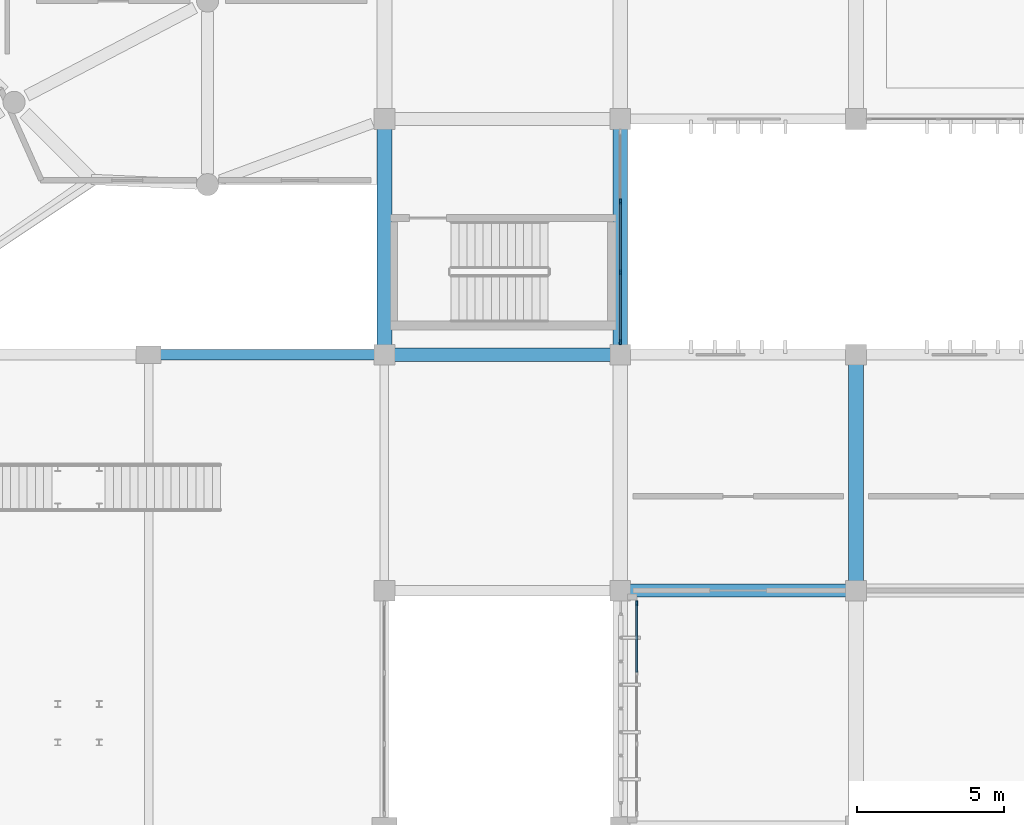
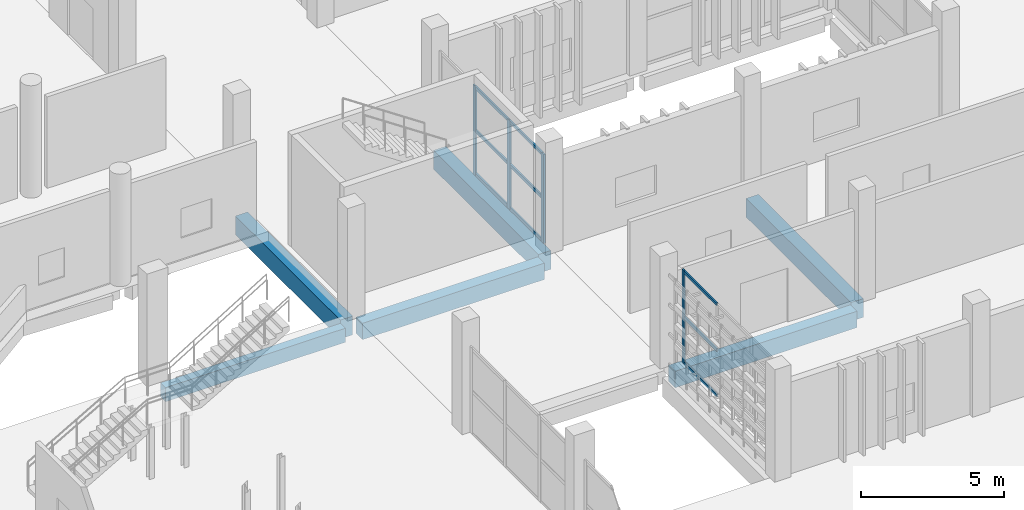
# One storey, part 28 of 117: 13 members, 6 beams, 2 elements without a shape of their own.
"""IFC4 building model written with IfcOpenShell, lengths in metres."""

from ifc_helpers import new_model, si_unit, direction, frame, origin, origin_2d, place, context, subcontext, project, spatial, rectangle, extrude, material, layer, layer_set, material_profile, profile_set, type_object, element, aggregate, save


model = new_model("IFC4")

# Units and contexts
model_context = context("Model", 3, precision=1e-05, world=origin(), true_north=direction((0.0, 1.0)))
body_context = subcontext(model_context, "Body", "Model", "MODEL_VIEW")
ifc_project = project(units=[si_unit("LENGTHUNIT", "METRE"), si_unit("AREAUNIT", "SQUARE_METRE"), si_unit("VOLUMEUNIT", "CUBIC_METRE"), si_unit("PLANEANGLEUNIT", "RADIAN"), si_unit("MASSUNIT", "GRAM", prefix="KILO")], contexts=[model_context])

# Site, building, storey
site_placement = place(None, origin())
site = spatial("IfcSite", under=ifc_project, at=site_placement, CompositionType="ELEMENT")
building_placement = place(site_placement, origin())
building = spatial("IfcBuilding", under=site, at=building_placement, Name="Jelvoka-Kovrelna Polytechnic", CompositionType="ELEMENT")
storey_placement = place(building_placement, origin())
storey = spatial("IfcBuildingStorey", under=building, at=storey_placement, Name="L01", CompositionType="ELEMENT", Elevation=0.0)

# Beams
ifc_material_1 = material(Name="Concrete C40/50", Category="concrete")
ifc_material_profile_1 = material_profile(ifc_material_1, rectangle(XDim=0.449951171875, YDim=0.699951171875, at=origin_2d()), Name="RC 450x700")
ifc_profile_set_1 = profile_set([ifc_material_profile_1], Name="Concrete C40/50")
beam_type_1 = type_object("IfcBeamType", Name="Beam_RC_450x700", PredefinedType="BEAM", material=ifc_profile_set_1)
for number, where, z_axis, x_axis, name in (
    (1, (56.330078125, 16.0, -0.7548828125), (1.0, 0.0, 0.0), (0.0, 1.0, 0.0), "L01 beam 0309"),
    (2, (48.330078125, 24.0, -0.7548828125), (1.0, 0.0, 0.0), (0.0, 1.0, 0.0), "L01 beam 0524"),
):
    element("IfcBeam", number, at=place(storey_placement, frame(where, z_axis=z_axis, x_axis=x_axis)), inside=storey, type_object=beam_type_1, Name=name, PredefinedType="BEAM", context=body_context, shape_type="SweptSolid", body=[
        extrude(rectangle(XDim=0.449951171875, YDim=0.699951171875, at=origin_2d()), origin(), (0.0, 0.0, 1.0), 7.33984375),
    ])
ifc_material_2 = material(Name="Concrete C40/50", Category="concrete")
ifc_material_profile_2 = material_profile(ifc_material_2, rectangle(XDim=0.5, YDim=0.800048828125, at=origin_2d()), Name="RC 500x800")
ifc_profile_set_2 = profile_set([ifc_material_profile_2], Name="Concrete C40/50")
beam_type_2 = type_object("IfcBeamType", Name="Beam_RC_500x800", PredefinedType="BEAM", material=ifc_profile_set_2)
for number, where, z_axis, x_axis, name in (
    (3, (64.0, 16.330078125, -0.804931640625), (0.0, 1.0, 0.0), (-1.0, 0.0, 0.0), "L01 beam 0325"),
    (4, (48.0, 24.330078125, -0.804931640625), (0.0, 1.0, 0.0), (-1.0, 0.0, 0.0), "L01 beam 0530"),
    (5, (56.0, 24.330078125, -0.804931640625), (0.0, 1.0, 0.0), (-1.0, 0.0, 0.0), "L01 beam 0536"),
):
    element("IfcBeam", number, at=place(storey_placement, frame(where, z_axis=z_axis, x_axis=x_axis)), inside=storey, type_object=beam_type_2, Name=name, PredefinedType="BEAM", context=body_context, shape_type="SweptSolid", body=[
        extrude(rectangle(XDim=0.5, YDim=0.800048828125, at=origin_2d()), origin(), (0.0, 0.0, 1.0), 7.33984375),
    ])

# Curtain wall, member
ifc_material_3 = material(Name="Anodised aluminium 6063-T6", Category="aluminium")
ifc_layer_1 = layer(ifc_material_3, 0.159912109375)
ifc_layer_set_1 = layer_set([ifc_layer_1], Name="Anodised aluminium 6063-T6")
curtain_wall_type_1 = type_object("IfcCurtainWallType", Name="CW_Recessed_A", PredefinedType="NOTDEFINED", material=ifc_layer_set_1)
curtain_wall_1_placement = place(storey_placement, origin())
curtain_wall_1 = element("IfcCurtainWall", 6, at=curtain_wall_1_placement, inside=storey, type_object=curtain_wall_type_1, Name="L01 glazed curtain wall 001", PredefinedType="NOTDEFINED")
ifc_material_4 = material(Name="Anodised aluminium 6063-T6", Category="aluminium")
ifc_material_profile_3 = material_profile(ifc_material_4, rectangle(XDim=0.06005859375, YDim=0.159912109375, at=origin_2d()), Name="ALU 60x160")
ifc_profile_set_3 = profile_set([ifc_material_profile_3], Name="Anodised aluminium 6063-T6")
member_type_1 = type_object("IfcMemberType", Name="Mullion_M-01", PredefinedType="MULLION", material=ifc_profile_set_3)
member_1_placement = place(storey_placement, frame((56.56005859375, 15.570068359375, -0.02490234375), z_axis=(0.0, 0.0, 1.0), x_axis=(-1.0, 0.0, 0.0)))
member_1 = element("IfcMember", 7, at=member_1_placement, type_object=member_type_1, Name="CW-01 mullion 4", PredefinedType="MULLION", context=body_context, shape_type="SweptSolid", body=[
    extrude(rectangle(XDim=0.06005859375, YDim=0.159912109375, at=origin_2d()), origin(), (0.0, 0.0, 1.0), 4.0),
])

# Curtain wall, members
ifc_material_5 = material(Name="Anodised aluminium 6063-T6", Category="aluminium")
ifc_layer_2 = layer(ifc_material_5, 0.179931640625)
ifc_layer_set_2 = layer_set([ifc_layer_2], Name="Anodised aluminium 6063-T6")
curtain_wall_type_2 = type_object("IfcCurtainWallType", Name="CW_Pavilion", PredefinedType="NOTDEFINED", material=ifc_layer_set_2)
curtain_wall_2_placement = place(storey_placement, origin())
curtain_wall_2 = element("IfcCurtainWall", 8, at=curtain_wall_2_placement, inside=storey, type_object=curtain_wall_type_2, Name="L01 glazed curtain wall 108", PredefinedType="NOTDEFINED")
ifc_material_6 = material(Name="Anodised aluminium 6063-T6", Category="aluminium")
ifc_material_profile_4 = material_profile(ifc_material_6, rectangle(XDim=0.06494140625, YDim=0.179931640625, at=origin_2d()), Name="ALU 65x180")
ifc_profile_set_4 = profile_set([ifc_material_profile_4], Name="Anodised aluminium 6063-T6")
member_type_2 = type_object("IfcMemberType", Name="Mullion_M-05", PredefinedType="MULLION", material=ifc_profile_set_4)
member_2_placement = place(storey_placement, frame((56.0, 29.199951171875, -0.02490234375), z_axis=(0.0, 0.0, 1.0), x_axis=(1.0, 0.0, 0.0)))
member_2 = element("IfcMember", 9, at=member_2_placement, type_object=member_type_2, Name="CW-05 mullion 2", PredefinedType="MULLION", context=body_context, shape_type="SweptSolid", body=[
    extrude(rectangle(XDim=0.06494140625, YDim=0.179931640625, at=origin_2d()), origin(), (0.0, 0.0, 1.0), 3.81005859375),
])
member_3_placement = place(storey_placement, frame((56.0, 26.800048828125, -0.02490234375), z_axis=(0.0, 0.0, 1.0), x_axis=(1.0, 0.0, 0.0)))
member_3 = element("IfcMember", 10, at=member_3_placement, type_object=member_type_2, Name="CW-05 mullion 3", PredefinedType="MULLION", context=body_context, shape_type="SweptSolid", body=[
    extrude(rectangle(XDim=0.06494140625, YDim=0.179931640625, at=origin_2d()), origin(), (0.0, 0.0, 1.0), 3.81005859375),
])
member_4_placement = place(storey_placement, frame((56.0, 24.4326171875, -0.02490234375), z_axis=(0.0, 0.0, 1.0), x_axis=(1.0, 0.0, 0.0)))
member_4 = element("IfcMember", 11, at=member_4_placement, type_object=member_type_2, Name="CW-05 mullion 4", PredefinedType="MULLION", context=body_context, shape_type="SweptSolid", body=[
    extrude(rectangle(XDim=0.06494140625, YDim=0.179931640625, at=origin_2d()), origin(), (0.0, 0.0, 1.0), 3.81005859375),
])

# Beam
ifc_material_7 = material(Name="Concrete C40/50", Category="concrete")
ifc_material_profile_5 = material_profile(ifc_material_7, rectangle(XDim=0.35009765625, YDim=0.60009765625, at=origin_2d()), Name="RC 350x600")
ifc_profile_set_5 = profile_set([ifc_material_profile_5], Name="Concrete C40/50")
beam_type_3 = type_object("IfcBeamType", Name="Spandrel_RC_350x600", PredefinedType="SPANDREL", material=ifc_profile_set_5)
beam_placement = place(storey_placement, frame((40.405029296875, 24.0, -0.7099609375), z_axis=(1.0, 0.0, 0.0), x_axis=(0.0, 1.0, 0.0)))
element("IfcBeam", 12, at=beam_placement, inside=storey, type_object=beam_type_3, Name="L01 beam 0129", PredefinedType="SPANDREL", context=body_context, shape_type="SweptSolid", body=[
    extrude(rectangle(XDim=0.35009765625, YDim=0.60009765625, at=origin_2d()), origin(), (0.0, 0.0, 1.0), 7.264892578125),
])

# Member
ifc_material_8 = material(Name="Anodised aluminium 6063-T6", Category="aluminium")
ifc_material_profile_6 = material_profile(ifc_material_8, rectangle(XDim=0.06005859375, YDim=0.1201171875, at=origin_2d()), Name="ALU 60x120")
ifc_profile_set_6 = profile_set([ifc_material_profile_6], Name="Anodised aluminium 6063-T6")
member_type_3 = type_object("IfcMemberType", Name="Transom_T-01", PredefinedType="USERDEFINED", material=ifc_profile_set_6)
member_5_placement = place(storey_placement, frame((56.56005859375, 13.22998046875, 0.030029296875), z_axis=(0.0, 1.0, 0.0), x_axis=(-1.0, 0.0, 0.0)))
member_5 = element("IfcMember", 13, at=member_5_placement, type_object=member_type_3, Name="CW-01 transom 3.1", ObjectType="TRANSOM", PredefinedType="USERDEFINED", context=body_context, shape_type="SweptSolid", body=[
    extrude(rectangle(XDim=0.06005859375, YDim=0.1201171875, at=origin_2d()), origin(), (0.0, 0.0, 1.0), 2.31005859375),
])

member_6_placement = place(storey_placement, frame((56.56005859375, 13.22998046875, 1.97509765625), z_axis=(0.0, 1.0, 0.0), x_axis=(-1.0, 0.0, 0.0)))
member_6 = element("IfcMember", 14, at=member_6_placement, type_object=member_type_3, Name="CW-01 transom 3.2", ObjectType="TRANSOM", PredefinedType="USERDEFINED", context=body_context, shape_type="SweptSolid", body=[
    extrude(rectangle(XDim=0.06005859375, YDim=0.1201171875, at=origin_2d()), origin(), (0.0, 0.0, 1.0), 2.31005859375),
])

member_7_placement = place(storey_placement, frame((56.56005859375, 13.22998046875, 3.919921875), z_axis=(0.0, 1.0, 0.0), x_axis=(-1.0, 0.0, 0.0)))
member_7 = element("IfcMember", 15, at=member_7_placement, type_object=member_type_3, Name="CW-01 transom 3.3", ObjectType="TRANSOM", PredefinedType="USERDEFINED", context=body_context, shape_type="SweptSolid", body=[
    extrude(rectangle(XDim=0.06005859375, YDim=0.1201171875, at=origin_2d()), origin(), (0.0, 0.0, 1.0), 2.31005859375),
])

aggregate(curtain_wall_1, [member_1, member_5, member_6, member_7])

ifc_material_9 = material(Name="Anodised aluminium 6063-T6", Category="aluminium")
ifc_material_profile_7 = material_profile(ifc_material_9, rectangle(XDim=0.06494140625, YDim=0.135009765625, at=origin_2d()), Name="ALU 65x135")
ifc_profile_set_7 = profile_set([ifc_material_profile_7], Name="Anodised aluminium 6063-T6")
member_type_4 = type_object("IfcMemberType", Name="Transom_T-05", PredefinedType="USERDEFINED", material=ifc_profile_set_7)
member_8_placement = place(storey_placement, frame((56.0, 29.16748046875, 0.032470703125), z_axis=(0.0, -1.0, 0.0), x_axis=(1.0, 0.0, 0.0)))
member_8 = element("IfcMember", 16, at=member_8_placement, type_object=member_type_4, Name="CW-05 transom 2.1", ObjectType="TRANSOM", PredefinedType="USERDEFINED", context=body_context, shape_type="SweptSolid", body=[
    extrude(rectangle(XDim=0.06494140625, YDim=0.135009765625, at=origin_2d()), origin(), (0.0, 0.0, 1.0), 2.3349609375),
])

member_9_placement = place(storey_placement, frame((56.0, 29.16748046875, 1.8798828125), z_axis=(0.0, -1.0, 0.0), x_axis=(1.0, 0.0, 0.0)))
member_9 = element("IfcMember", 17, at=member_9_placement, type_object=member_type_4, Name="CW-05 transom 2.2", ObjectType="TRANSOM", PredefinedType="USERDEFINED", context=body_context, shape_type="SweptSolid", body=[
    extrude(rectangle(XDim=0.06494140625, YDim=0.135009765625, at=origin_2d()), origin(), (0.0, 0.0, 1.0), 2.3349609375),
])

member_10_placement = place(storey_placement, frame((56.0, 29.16748046875, 3.7275390625), z_axis=(0.0, -1.0, 0.0), x_axis=(1.0, 0.0, 0.0)))
member_10 = element("IfcMember", 18, at=member_10_placement, type_object=member_type_4, Name="CW-05 transom 2.3", ObjectType="TRANSOM", PredefinedType="USERDEFINED", context=body_context, shape_type="SweptSolid", body=[
    extrude(rectangle(XDim=0.06494140625, YDim=0.135009765625, at=origin_2d()), origin(), (0.0, 0.0, 1.0), 2.3349609375),
])

member_11_placement = place(storey_placement, frame((56.0, 26.767578125, 0.032470703125), z_axis=(0.0, -1.0, 0.0), x_axis=(1.0, 0.0, 0.0)))
member_11 = element("IfcMember", 19, at=member_11_placement, type_object=member_type_4, Name="CW-05 transom 3.1", ObjectType="TRANSOM", PredefinedType="USERDEFINED", context=body_context, shape_type="SweptSolid", body=[
    extrude(rectangle(XDim=0.06494140625, YDim=0.135009765625, at=origin_2d()), origin(), (0.0, 0.0, 1.0), 2.302490234375),
])

member_12_placement = place(storey_placement, frame((56.0, 26.767578125, 1.8798828125), z_axis=(0.0, -1.0, 0.0), x_axis=(1.0, 0.0, 0.0)))
member_12 = element("IfcMember", 20, at=member_12_placement, type_object=member_type_4, Name="CW-05 transom 3.2", ObjectType="TRANSOM", PredefinedType="USERDEFINED", context=body_context, shape_type="SweptSolid", body=[
    extrude(rectangle(XDim=0.06494140625, YDim=0.135009765625, at=origin_2d()), origin(), (0.0, 0.0, 1.0), 2.302490234375),
])

member_13_placement = place(storey_placement, frame((56.0, 26.767578125, 3.7275390625), z_axis=(0.0, -1.0, 0.0), x_axis=(1.0, 0.0, 0.0)))
member_13 = element("IfcMember", 21, at=member_13_placement, type_object=member_type_4, Name="CW-05 transom 3.3", ObjectType="TRANSOM", PredefinedType="USERDEFINED", context=body_context, shape_type="SweptSolid", body=[
    extrude(rectangle(XDim=0.06494140625, YDim=0.135009765625, at=origin_2d()), origin(), (0.0, 0.0, 1.0), 2.302490234375),
])

aggregate(curtain_wall_2, [member_2, member_3, member_4, member_8, member_9, member_10, member_11, member_12, member_13])

save(model, "model.ifc")
